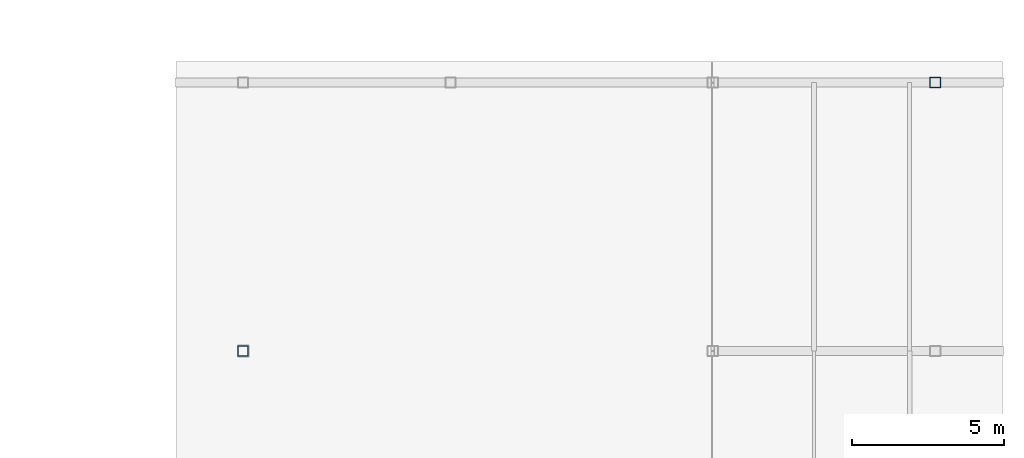
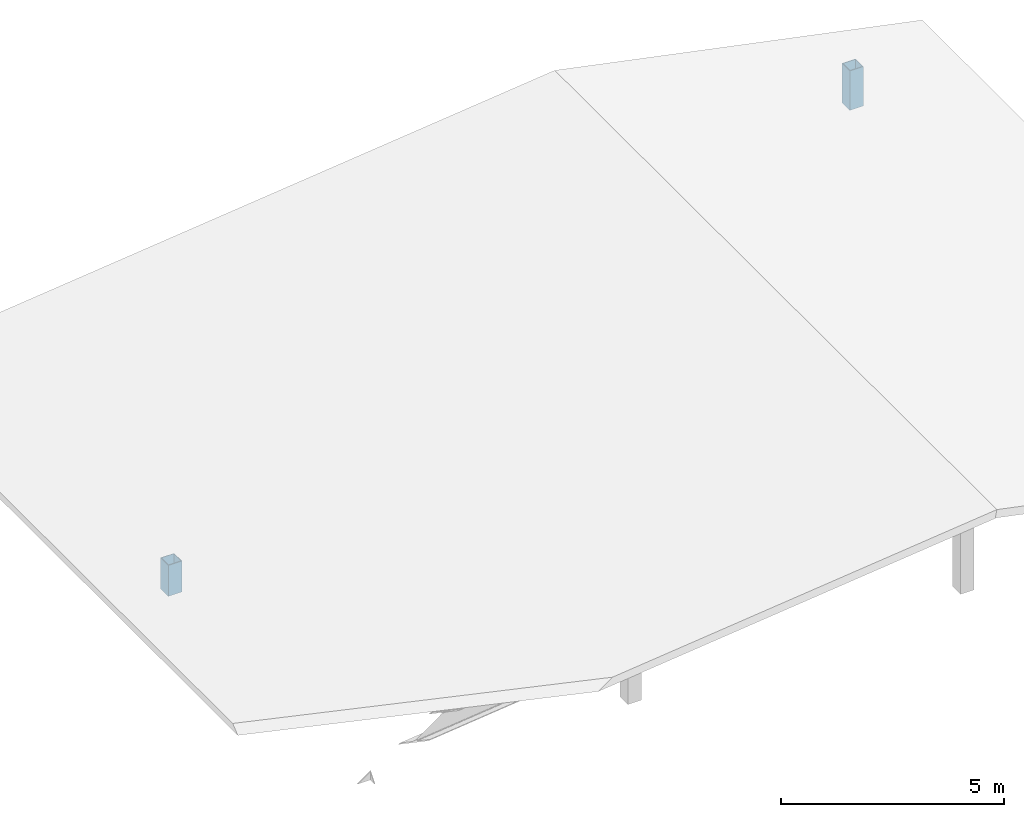
# One storey, part 4 of 27: 2 columns.
"""IFC4 building model written with IfcOpenShell, lengths in metres."""

from ifc_helpers import new_model, si_unit, direction, frame, origin, origin_2d, place, context, subcontext, project, spatial, hollow_rectangle, extrude, material, material_profile, profile_set, type_object, element, save


model = new_model("IFC4")

# Units and contexts
model_context = context("Model", 3, precision=1e-05, world=origin(), true_north=direction((0.0, 1.0)))
body_context = subcontext(model_context, "Body", "Model", "MODEL_VIEW")
ifc_project = project(units=[si_unit("LENGTHUNIT", "METRE"), si_unit("AREAUNIT", "SQUARE_METRE"), si_unit("VOLUMEUNIT", "CUBIC_METRE"), si_unit("PLANEANGLEUNIT", "RADIAN"), si_unit("MASSUNIT", "GRAM", prefix="KILO")], contexts=[model_context])

# Site, building, storey
site_placement = place(None, origin())
site = spatial("IfcSite", under=ifc_project, at=site_placement, CompositionType="ELEMENT")
building_placement = place(site_placement, origin())
building = spatial("IfcBuilding", under=site, at=building_placement, Name="Soyqirgoq Riverine Aquarium", CompositionType="ELEMENT")
storey_placement = place(building_placement, frame((0.0, 0.0, 19.800048828125)))
storey = spatial("IfcBuildingStorey", under=building, at=storey_placement, Name="L05", CompositionType="ELEMENT", Elevation=19.800048828125)

# Columns
ifc_material = material(Name="Structural steel S355", Category="steel")
ifc_material_profile = material_profile(ifc_material, hollow_rectangle(XDim=0.35009765625, YDim=0.35009765625, WallThickness=0.01611328125, at=origin_2d()), Name="SHS 350x350x16")
ifc_profile_set = profile_set([ifc_material_profile], Name="Structural steel S355")
column_type = type_object("IfcColumnType", Name="Col_Steel_SHS350", PredefinedType="COLUMN", material=ifc_profile_set)
column_1_placement = place(storey_placement, frame((122.60009765625, 65.5, -0.260009765625), z_axis=(0.0, 0.0, 1.0), x_axis=(1.0, 0.0, 0.0)))
element("IfcColumn", 1, at=column_1_placement, inside=storey, type_object=column_type, Name="V7 Roof Support Column W02", PredefinedType="COLUMN", context=body_context, shape_type="SweptSolid", body=[
    extrude(hollow_rectangle(XDim=0.35009765625, YDim=0.35009765625, WallThickness=0.01611328125, at=origin_2d()), origin(), (0.0, 0.0, 1.0), 0.848388671875),
])
column_2_placement = place(storey_placement, frame((145.300048828125, 74.300048828125, -0.260009765625), z_axis=(0.0, 0.0, 1.0), x_axis=(1.0, 0.0, 0.0)))
element("IfcColumn", 2, at=column_2_placement, inside=storey, type_object=column_type, Name="V7 Roof Support Column E03", PredefinedType="COLUMN", context=body_context, shape_type="SweptSolid", body=[
    extrude(hollow_rectangle(XDim=0.35009765625, YDim=0.35009765625, WallThickness=0.01611328125, at=origin_2d()), origin(), (0.0, 0.0, 1.0), 1.077880859375),
])

save(model, "model.ifc")
